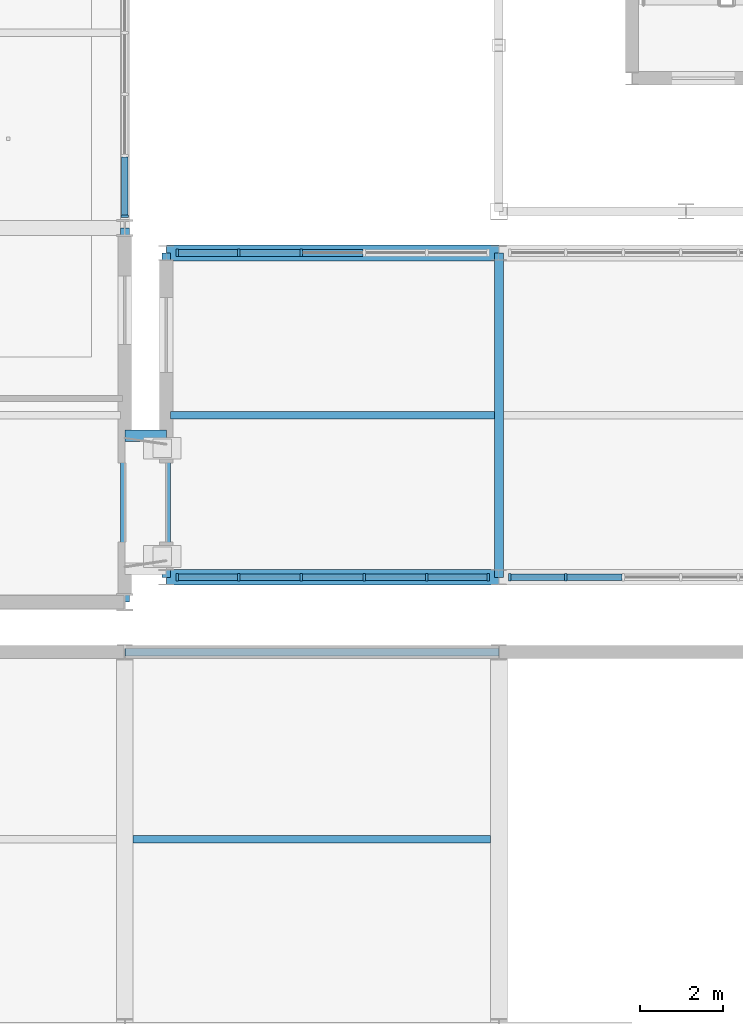
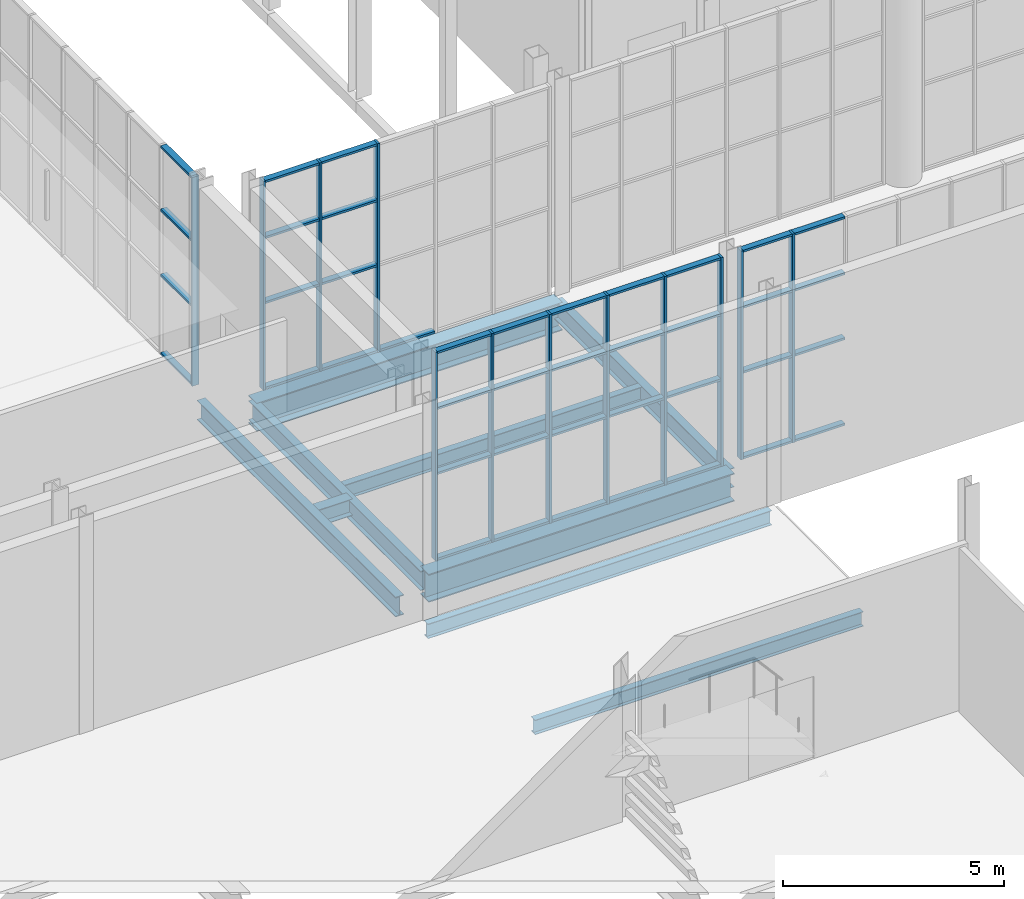
# One storey, part 33 of 159: 53 members, 9 beams, 4 elements without a shape of their own.
"""IFC4 building model written with IfcOpenShell, lengths in metres."""

from ifc_helpers import new_model, si_unit, direction, frame, origin, origin_2d, place, context, subcontext, project, spatial, rectangle, i_section, extrude, material, layer, layer_set, material_profile, profile_set, type_object, element, aggregate, save


model = new_model("IFC4")

# Units and contexts
model_context = context("Model", 3, precision=1e-05, world=origin(), true_north=direction((0.0, 1.0)))
body_context = subcontext(model_context, "Body", "Model", "MODEL_VIEW")
ifc_project = project(units=[si_unit("LENGTHUNIT", "METRE"), si_unit("AREAUNIT", "SQUARE_METRE"), si_unit("VOLUMEUNIT", "CUBIC_METRE"), si_unit("PLANEANGLEUNIT", "RADIAN"), si_unit("MASSUNIT", "GRAM", prefix="KILO")], contexts=[model_context])

# Site, building, storey
site_placement = place(None, origin())
site = spatial("IfcSite", under=ifc_project, at=site_placement, CompositionType="ELEMENT")
building_placement = place(site_placement, origin())
building = spatial("IfcBuilding", under=site, at=building_placement, Name="Cazmaro Siding Exhibition Halls", CompositionType="ELEMENT")
storey_placement = place(building_placement, frame((0.0, 0.0, 6.0)))
storey = spatial("IfcBuildingStorey", under=building, at=storey_placement, Name="L01", CompositionType="ELEMENT", Elevation=6.0)

# Beams
ifc_material_1 = material(Name="Steel ASTM A992 Grade 50", Category="steel")
ifc_material_profile_1 = material_profile(ifc_material_1, i_section(OverallWidth=0.214111328125, OverallDepth=0.549072265625, WebThickness=0.014892578125, FlangeThickness=0.02392578125, at=origin_2d()), Name="W21X93")
ifc_profile_set_1 = profile_set([ifc_material_profile_1], Name="Steel ASTM A992 Grade 50")
beam_type_1 = type_object("IfcBeamType", Name="B-01", PredefinedType="BEAM", material=ifc_profile_set_1)
beam_1_placement = place(storey_placement, frame((36.0, 54.60009765625, -0.493896484375), z_axis=(0.0, 1.0, 0.0), x_axis=(-1.0, 0.0, 0.0)))
element("IfcBeam", 1, at=beam_1_placement, inside=storey, type_object=beam_type_1, Name="Beam B-01 BM-2026", PredefinedType="BEAM", context=body_context, shape_type="SweptSolid", body=[
    extrude(i_section(OverallWidth=0.214111328125, OverallDepth=0.549072265625, WebThickness=0.014892578125, FlangeThickness=0.02392578125, at=origin_2d()), origin(), (0.0, 0.0, 1.0), 9.0),
])
ifc_material_2 = material(Name="Steel ASTM A992 Grade 50", Category="steel")
ifc_material_profile_2 = material_profile(ifc_material_2, i_section(OverallWidth=0.2099609375, OverallDepth=0.535888671875, WebThickness=0.010986328125, FlangeThickness=0.01708984375, at=origin_2d()), Name="W21X68")
ifc_profile_set_2 = profile_set([ifc_material_profile_2], Name="Steel ASTM A992 Grade 50")
beam_type_2 = type_object("IfcBeamType", Name="B-02", PredefinedType="BEAM", material=ifc_profile_set_2)
for number, where, z_axis, x_axis, name in (
    (2, (37.0, 55.199951171875, -0.488037109375), (0.0, 1.0, 0.0), (-1.0, 0.0, 0.0), "Beam B-02 BM-1684"),
    (3, (45.0, 55.199951171875, -0.488037109375), (0.0, 1.0, 0.0), (-1.0, 0.0, 0.0), "Beam B-02 BM-1687"),
):
    element("IfcBeam", number, at=place(storey_placement, frame(where, z_axis=z_axis, x_axis=x_axis)), inside=storey, type_object=beam_type_2, Name=name, PredefinedType="BEAM", context=body_context, shape_type="SweptSolid", body=[
        extrude(i_section(OverallWidth=0.2099609375, OverallDepth=0.535888671875, WebThickness=0.010986328125, FlangeThickness=0.01708984375, at=origin_2d()), origin(), (0.0, 0.0, 1.0), 7.800048828125),
    ])
ifc_material_3 = material(Name="Steel ASTM A992 Grade 50", Category="steel")
ifc_material_profile_3 = material_profile(ifc_material_3, i_section(OverallWidth=0.279052734375, OverallDepth=0.4619140625, WebThickness=0.010986328125, FlangeThickness=0.01708984375, at=origin_2d()), Name="W18X76")
ifc_profile_set_3 = profile_set([ifc_material_profile_3], Name="Steel ASTM A992 Grade 50")
beam_type_3 = type_object("IfcBeamType", Name="B-03", PredefinedType="BEAM", material=ifc_profile_set_3)
beam_2_placement = place(storey_placement, frame((36.0, 58.60009765625, -0.450927734375), z_axis=(1.0, 0.0, 0.0), x_axis=(0.0, 1.0, 0.0)))
element("IfcBeam", 4, at=beam_2_placement, inside=storey, type_object=beam_type_3, Name="Beam B-03 BM-2531", PredefinedType="BEAM", context=body_context, shape_type="SweptSolid", body=[
    extrude(i_section(OverallWidth=0.279052734375, OverallDepth=0.4619140625, WebThickness=0.010986328125, FlangeThickness=0.01708984375, at=origin_2d()), origin(), (0.0, 0.0, 1.0), 1.0),
])

# Curtain wall, members
ifc_material_4 = material(Name="Anodized Bronze Aluminum and Solar-Control Low-E Glazing", Category="aluminium")
ifc_layer = layer(ifc_material_4, 0.179931640625)
ifc_layer_set = layer_set([ifc_layer], Name="Anodized Bronze Aluminum and Solar-Control Low-E Glazing")
curtain_wall_type = type_object("IfcCurtainWallType", Name="CWS-01", PredefinedType="USERDEFINED", material=ifc_layer_set)
curtain_wall_1_placement = place(storey_placement, origin())
curtain_wall_1 = element("IfcCurtainWall", 5, at=curtain_wall_1_placement, inside=storey, type_object=curtain_wall_type, Name="Glazed Curtain Wall CWS-01 CW-141", ObjectType="GLAZED CURTAIN WALL", PredefinedType="USERDEFINED")
ifc_material_5 = material(Name="Anodized Bronze Extruded Aluminum", Category="aluminium")
ifc_material_profile_4 = material_profile(ifc_material_5, rectangle(XDim=0.179931640625, YDim=0.06005859375, at=origin_2d()), Name="CWM-01")
ifc_profile_set_4 = profile_set([ifc_material_profile_4], Name="Anodized Bronze Extruded Aluminum")
member_type_1 = type_object("IfcMemberType", Name="CWM-01", PredefinedType="MULLION", material=ifc_profile_set_4)
member_1_placement = place(storey_placement, frame((37.260009765625, 55.199951171875, 0.0), z_axis=(0.0, 0.0, 1.0), x_axis=(0.0, 1.0, 0.0)))
member_1 = element("IfcMember", 6, at=member_1_placement, type_object=member_type_1, Name="CWS-01 mullion 1", PredefinedType="MULLION", context=body_context, shape_type="SweptSolid", body=[
    extrude(rectangle(XDim=0.179931640625, YDim=0.06005859375, at=origin_2d()), origin(), (0.0, 0.0, 1.0), 5.780029296875),
])
member_2_placement = place(storey_placement, frame((38.738037109375, 55.199951171875, 0.0), z_axis=(0.0, 0.0, 1.0), x_axis=(0.0, 1.0, 0.0)))
member_2 = element("IfcMember", 7, at=member_2_placement, type_object=member_type_1, Name="CWS-01 mullion 2", PredefinedType="MULLION", context=body_context, shape_type="SweptSolid", body=[
    extrude(rectangle(XDim=0.179931640625, YDim=0.06005859375, at=origin_2d()), origin(), (0.0, 0.0, 1.0), 5.780029296875),
])
member_3_placement = place(storey_placement, frame((40.24609375, 55.199951171875, 0.0), z_axis=(0.0, 0.0, 1.0), x_axis=(0.0, 1.0, 0.0)))
member_3 = element("IfcMember", 8, at=member_3_placement, type_object=member_type_1, Name="CWS-01 mullion 3", PredefinedType="MULLION", context=body_context, shape_type="SweptSolid", body=[
    extrude(rectangle(XDim=0.179931640625, YDim=0.06005859375, at=origin_2d()), origin(), (0.0, 0.0, 1.0), 5.780029296875),
])
member_4_placement = place(storey_placement, frame((41.75390625, 55.199951171875, 0.0), z_axis=(0.0, 0.0, 1.0), x_axis=(0.0, 1.0, 0.0)))
member_4 = element("IfcMember", 9, at=member_4_placement, type_object=member_type_1, Name="CWS-01 mullion 4", PredefinedType="MULLION", context=body_context, shape_type="SweptSolid", body=[
    extrude(rectangle(XDim=0.179931640625, YDim=0.06005859375, at=origin_2d()), origin(), (0.0, 0.0, 1.0), 5.780029296875),
])
member_5_placement = place(storey_placement, frame((43.261962890625, 55.199951171875, 0.0), z_axis=(0.0, 0.0, 1.0), x_axis=(0.0, 1.0, 0.0)))
member_5 = element("IfcMember", 10, at=member_5_placement, type_object=member_type_1, Name="CWS-01 mullion 5", PredefinedType="MULLION", context=body_context, shape_type="SweptSolid", body=[
    extrude(rectangle(XDim=0.179931640625, YDim=0.06005859375, at=origin_2d()), origin(), (0.0, 0.0, 1.0), 5.780029296875),
])
member_6_placement = place(storey_placement, frame((44.739990234375, 55.199951171875, 0.0), z_axis=(0.0, 0.0, 1.0), x_axis=(0.0, 1.0, 0.0)))
member_6 = element("IfcMember", 11, at=member_6_placement, type_object=member_type_1, Name="CWS-01 mullion 6", PredefinedType="MULLION", context=body_context, shape_type="SweptSolid", body=[
    extrude(rectangle(XDim=0.179931640625, YDim=0.06005859375, at=origin_2d()), origin(), (0.0, 0.0, 1.0), 5.780029296875),
])

curtain_wall_2_placement = place(storey_placement, origin())
curtain_wall_2 = element("IfcCurtainWall", 12, at=curtain_wall_2_placement, inside=storey, type_object=curtain_wall_type, Name="Glazed Curtain Wall CWS-01 CW-143", ObjectType="GLAZED CURTAIN WALL", PredefinedType="USERDEFINED")
member_7_placement = place(storey_placement, frame((40.24609375, 63.0, 0.0), z_axis=(0.0, 0.0, 1.0), x_axis=(0.0, -1.0, 0.0)))
member_7 = element("IfcMember", 13, at=member_7_placement, type_object=member_type_1, Name="CWS-01 mullion 4", PredefinedType="MULLION", context=body_context, shape_type="SweptSolid", body=[
    extrude(rectangle(XDim=0.179931640625, YDim=0.06005859375, at=origin_2d()), origin(), (0.0, 0.0, 1.0), 5.780029296875),
])
member_8_placement = place(storey_placement, frame((38.738037109375, 63.0, 0.0), z_axis=(0.0, 0.0, 1.0), x_axis=(0.0, -1.0, 0.0)))
member_8 = element("IfcMember", 14, at=member_8_placement, type_object=member_type_1, Name="CWS-01 mullion 5", PredefinedType="MULLION", context=body_context, shape_type="SweptSolid", body=[
    extrude(rectangle(XDim=0.179931640625, YDim=0.06005859375, at=origin_2d()), origin(), (0.0, 0.0, 1.0), 5.780029296875),
])
member_9_placement = place(storey_placement, frame((37.260009765625, 63.0, 0.0), z_axis=(0.0, 0.0, 1.0), x_axis=(0.0, -1.0, 0.0)))
member_9 = element("IfcMember", 15, at=member_9_placement, type_object=member_type_1, Name="CWS-01 mullion 6", PredefinedType="MULLION", context=body_context, shape_type="SweptSolid", body=[
    extrude(rectangle(XDim=0.179931640625, YDim=0.06005859375, at=origin_2d()), origin(), (0.0, 0.0, 1.0), 5.780029296875),
])

curtain_wall_3_placement = place(storey_placement, origin())
curtain_wall_3 = element("IfcCurtainWall", 16, at=curtain_wall_3_placement, inside=storey, type_object=curtain_wall_type, Name="Glazed Curtain Wall CWS-01 CW-146", ObjectType="GLAZED CURTAIN WALL", PredefinedType="USERDEFINED")
member_10_placement = place(storey_placement, frame((45.260009765625, 55.199951171875, 0.0), z_axis=(0.0, 0.0, 1.0), x_axis=(0.0, 1.0, 0.0)))
member_10 = element("IfcMember", 17, at=member_10_placement, type_object=member_type_1, Name="CWS-01 mullion 1", PredefinedType="MULLION", context=body_context, shape_type="SweptSolid", body=[
    extrude(rectangle(XDim=0.179931640625, YDim=0.06005859375, at=origin_2d()), origin(), (0.0, 0.0, 1.0), 5.780029296875),
])
member_11_placement = place(storey_placement, frame((46.611083984375, 55.199951171875, 0.0), z_axis=(0.0, 0.0, 1.0), x_axis=(0.0, 1.0, 0.0)))
member_11 = element("IfcMember", 18, at=member_11_placement, type_object=member_type_1, Name="CWS-01 mullion 2", PredefinedType="MULLION", context=body_context, shape_type="SweptSolid", body=[
    extrude(rectangle(XDim=0.179931640625, YDim=0.06005859375, at=origin_2d()), origin(), (0.0, 0.0, 1.0), 5.780029296875),
])

# Curtain wall, member
curtain_wall_4_placement = place(storey_placement, origin())
curtain_wall_4 = element("IfcCurtainWall", 19, at=curtain_wall_4_placement, inside=storey, type_object=curtain_wall_type, Name="Glazed Curtain Wall CWS-01 CW-231", ObjectType="GLAZED CURTAIN WALL", PredefinedType="USERDEFINED")
member_12_placement = place(storey_placement, frame((36.0, 63.883056640625, 0.0), z_axis=(0.0, 0.0, 1.0), x_axis=(-1.0, 0.0, 0.0)))
member_12 = element("IfcMember", 20, at=member_12_placement, type_object=member_type_1, Name="CWS-01 mullion 1", PredefinedType="MULLION", context=body_context, shape_type="SweptSolid", body=[
    extrude(rectangle(XDim=0.179931640625, YDim=0.06005859375, at=origin_2d()), origin(), (0.0, 0.0, 1.0), 5.780029296875),
])

# Member
ifc_material_6 = material(Name="Anodized Bronze Extruded Aluminum", Category="aluminium")
ifc_material_profile_5 = material_profile(ifc_material_6, rectangle(XDim=0.159912109375, YDim=0.06005859375, at=origin_2d()), Name="CWT-01")
ifc_profile_set_5 = profile_set([ifc_material_profile_5], Name="Anodized Bronze Extruded Aluminum")
member_type_2 = type_object("IfcMemberType", Name="CWT-01", PredefinedType="MULLION", material=ifc_profile_set_5)
member_13_placement = place(storey_placement, frame((37.2900390625, 55.199951171875, 0.030029296875), z_axis=(1.0, 0.0, 0.0), x_axis=(0.0, 1.0, 0.0)))
member_13 = element("IfcMember", 21, at=member_13_placement, type_object=member_type_2, Name="CWS-01 transom 1.1", ObjectType="TRANSOM", PredefinedType="USERDEFINED", context=body_context, shape_type="SweptSolid", body=[
    extrude(rectangle(XDim=0.159912109375, YDim=0.06005859375, at=origin_2d()), origin(), (0.0, 0.0, 1.0), 1.41796875),
])

member_14_placement = place(storey_placement, frame((37.2900390625, 55.199951171875, 2.39990234375), z_axis=(1.0, 0.0, 0.0), x_axis=(0.0, 1.0, 0.0)))
member_14 = element("IfcMember", 22, at=member_14_placement, type_object=member_type_2, Name="CWS-01 transom 1.2", ObjectType="TRANSOM", PredefinedType="USERDEFINED", context=body_context, shape_type="SweptSolid", body=[
    extrude(rectangle(XDim=0.159912109375, YDim=0.06005859375, at=origin_2d()), origin(), (0.0, 0.0, 1.0), 1.41796875),
])

member_15_placement = place(storey_placement, frame((37.2900390625, 55.199951171875, 4.199951171875), z_axis=(1.0, 0.0, 0.0), x_axis=(0.0, 1.0, 0.0)))
member_15 = element("IfcMember", 23, at=member_15_placement, type_object=member_type_2, Name="CWS-01 transom 1.3", ObjectType="TRANSOM", PredefinedType="USERDEFINED", context=body_context, shape_type="SweptSolid", body=[
    extrude(rectangle(XDim=0.159912109375, YDim=0.06005859375, at=origin_2d()), origin(), (0.0, 0.0, 1.0), 1.41796875),
])

member_16_placement = place(storey_placement, frame((37.2900390625, 55.199951171875, 5.75), z_axis=(1.0, 0.0, 0.0), x_axis=(0.0, 1.0, 0.0)))
member_16 = element("IfcMember", 24, at=member_16_placement, type_object=member_type_2, Name="CWS-01 transom 1.4", ObjectType="TRANSOM", PredefinedType="USERDEFINED", context=body_context, shape_type="SweptSolid", body=[
    extrude(rectangle(XDim=0.159912109375, YDim=0.06005859375, at=origin_2d()), origin(), (0.0, 0.0, 1.0), 1.41796875),
])

member_17_placement = place(storey_placement, frame((38.76806640625, 55.199951171875, 0.030029296875), z_axis=(1.0, 0.0, 0.0), x_axis=(0.0, 1.0, 0.0)))
member_17 = element("IfcMember", 25, at=member_17_placement, type_object=member_type_2, Name="CWS-01 transom 2.1", ObjectType="TRANSOM", PredefinedType="USERDEFINED", context=body_context, shape_type="SweptSolid", body=[
    extrude(rectangle(XDim=0.159912109375, YDim=0.06005859375, at=origin_2d()), origin(), (0.0, 0.0, 1.0), 1.447998046875),
])

member_18_placement = place(storey_placement, frame((38.76806640625, 55.199951171875, 2.39990234375), z_axis=(1.0, 0.0, 0.0), x_axis=(0.0, 1.0, 0.0)))
member_18 = element("IfcMember", 26, at=member_18_placement, type_object=member_type_2, Name="CWS-01 transom 2.2", ObjectType="TRANSOM", PredefinedType="USERDEFINED", context=body_context, shape_type="SweptSolid", body=[
    extrude(rectangle(XDim=0.159912109375, YDim=0.06005859375, at=origin_2d()), origin(), (0.0, 0.0, 1.0), 1.447998046875),
])

member_19_placement = place(storey_placement, frame((38.76806640625, 55.199951171875, 4.199951171875), z_axis=(1.0, 0.0, 0.0), x_axis=(0.0, 1.0, 0.0)))
member_19 = element("IfcMember", 27, at=member_19_placement, type_object=member_type_2, Name="CWS-01 transom 2.3", ObjectType="TRANSOM", PredefinedType="USERDEFINED", context=body_context, shape_type="SweptSolid", body=[
    extrude(rectangle(XDim=0.159912109375, YDim=0.06005859375, at=origin_2d()), origin(), (0.0, 0.0, 1.0), 1.447998046875),
])

member_20_placement = place(storey_placement, frame((38.76806640625, 55.199951171875, 5.75), z_axis=(1.0, 0.0, 0.0), x_axis=(0.0, 1.0, 0.0)))
member_20 = element("IfcMember", 28, at=member_20_placement, type_object=member_type_2, Name="CWS-01 transom 2.4", ObjectType="TRANSOM", PredefinedType="USERDEFINED", context=body_context, shape_type="SweptSolid", body=[
    extrude(rectangle(XDim=0.159912109375, YDim=0.06005859375, at=origin_2d()), origin(), (0.0, 0.0, 1.0), 1.447998046875),
])

member_21_placement = place(storey_placement, frame((40.27587890625, 55.199951171875, 0.030029296875), z_axis=(1.0, 0.0, 0.0), x_axis=(0.0, 1.0, 0.0)))
member_21 = element("IfcMember", 29, at=member_21_placement, type_object=member_type_2, Name="CWS-01 transom 3.1", ObjectType="TRANSOM", PredefinedType="USERDEFINED", context=body_context, shape_type="SweptSolid", body=[
    extrude(rectangle(XDim=0.159912109375, YDim=0.06005859375, at=origin_2d()), origin(), (0.0, 0.0, 1.0), 1.4482421875),
])

member_22_placement = place(storey_placement, frame((40.27587890625, 55.199951171875, 2.39990234375), z_axis=(1.0, 0.0, 0.0), x_axis=(0.0, 1.0, 0.0)))
member_22 = element("IfcMember", 30, at=member_22_placement, type_object=member_type_2, Name="CWS-01 transom 3.2", ObjectType="TRANSOM", PredefinedType="USERDEFINED", context=body_context, shape_type="SweptSolid", body=[
    extrude(rectangle(XDim=0.159912109375, YDim=0.06005859375, at=origin_2d()), origin(), (0.0, 0.0, 1.0), 1.4482421875),
])

member_23_placement = place(storey_placement, frame((40.27587890625, 55.199951171875, 4.199951171875), z_axis=(1.0, 0.0, 0.0), x_axis=(0.0, 1.0, 0.0)))
member_23 = element("IfcMember", 31, at=member_23_placement, type_object=member_type_2, Name="CWS-01 transom 3.3", ObjectType="TRANSOM", PredefinedType="USERDEFINED", context=body_context, shape_type="SweptSolid", body=[
    extrude(rectangle(XDim=0.159912109375, YDim=0.06005859375, at=origin_2d()), origin(), (0.0, 0.0, 1.0), 1.4482421875),
])

member_24_placement = place(storey_placement, frame((40.27587890625, 55.199951171875, 5.75), z_axis=(1.0, 0.0, 0.0), x_axis=(0.0, 1.0, 0.0)))
member_24 = element("IfcMember", 32, at=member_24_placement, type_object=member_type_2, Name="CWS-01 transom 3.4", ObjectType="TRANSOM", PredefinedType="USERDEFINED", context=body_context, shape_type="SweptSolid", body=[
    extrude(rectangle(XDim=0.159912109375, YDim=0.06005859375, at=origin_2d()), origin(), (0.0, 0.0, 1.0), 1.4482421875),
])

member_25_placement = place(storey_placement, frame((41.783935546875, 55.199951171875, 0.030029296875), z_axis=(1.0, 0.0, 0.0), x_axis=(0.0, 1.0, 0.0)))
member_25 = element("IfcMember", 33, at=member_25_placement, type_object=member_type_2, Name="CWS-01 transom 4.1", ObjectType="TRANSOM", PredefinedType="USERDEFINED", context=body_context, shape_type="SweptSolid", body=[
    extrude(rectangle(XDim=0.159912109375, YDim=0.06005859375, at=origin_2d()), origin(), (0.0, 0.0, 1.0), 1.447998046875),
])

member_26_placement = place(storey_placement, frame((41.783935546875, 55.199951171875, 2.39990234375), z_axis=(1.0, 0.0, 0.0), x_axis=(0.0, 1.0, 0.0)))
member_26 = element("IfcMember", 34, at=member_26_placement, type_object=member_type_2, Name="CWS-01 transom 4.2", ObjectType="TRANSOM", PredefinedType="USERDEFINED", context=body_context, shape_type="SweptSolid", body=[
    extrude(rectangle(XDim=0.159912109375, YDim=0.06005859375, at=origin_2d()), origin(), (0.0, 0.0, 1.0), 1.447998046875),
])

member_27_placement = place(storey_placement, frame((41.783935546875, 55.199951171875, 4.199951171875), z_axis=(1.0, 0.0, 0.0), x_axis=(0.0, 1.0, 0.0)))
member_27 = element("IfcMember", 35, at=member_27_placement, type_object=member_type_2, Name="CWS-01 transom 4.3", ObjectType="TRANSOM", PredefinedType="USERDEFINED", context=body_context, shape_type="SweptSolid", body=[
    extrude(rectangle(XDim=0.159912109375, YDim=0.06005859375, at=origin_2d()), origin(), (0.0, 0.0, 1.0), 1.447998046875),
])

member_28_placement = place(storey_placement, frame((41.783935546875, 55.199951171875, 5.75), z_axis=(1.0, 0.0, 0.0), x_axis=(0.0, 1.0, 0.0)))
member_28 = element("IfcMember", 36, at=member_28_placement, type_object=member_type_2, Name="CWS-01 transom 4.4", ObjectType="TRANSOM", PredefinedType="USERDEFINED", context=body_context, shape_type="SweptSolid", body=[
    extrude(rectangle(XDim=0.159912109375, YDim=0.06005859375, at=origin_2d()), origin(), (0.0, 0.0, 1.0), 1.447998046875),
])

member_29_placement = place(storey_placement, frame((43.2919921875, 55.199951171875, 0.030029296875), z_axis=(1.0, 0.0, 0.0), x_axis=(0.0, 1.0, 0.0)))
member_29 = element("IfcMember", 37, at=member_29_placement, type_object=member_type_2, Name="CWS-01 transom 5.1", ObjectType="TRANSOM", PredefinedType="USERDEFINED", context=body_context, shape_type="SweptSolid", body=[
    extrude(rectangle(XDim=0.159912109375, YDim=0.06005859375, at=origin_2d()), origin(), (0.0, 0.0, 1.0), 1.41796875),
])

member_30_placement = place(storey_placement, frame((43.2919921875, 55.199951171875, 2.39990234375), z_axis=(1.0, 0.0, 0.0), x_axis=(0.0, 1.0, 0.0)))
member_30 = element("IfcMember", 38, at=member_30_placement, type_object=member_type_2, Name="CWS-01 transom 5.2", ObjectType="TRANSOM", PredefinedType="USERDEFINED", context=body_context, shape_type="SweptSolid", body=[
    extrude(rectangle(XDim=0.159912109375, YDim=0.06005859375, at=origin_2d()), origin(), (0.0, 0.0, 1.0), 1.41796875),
])

member_31_placement = place(storey_placement, frame((43.2919921875, 55.199951171875, 4.199951171875), z_axis=(1.0, 0.0, 0.0), x_axis=(0.0, 1.0, 0.0)))
member_31 = element("IfcMember", 39, at=member_31_placement, type_object=member_type_2, Name="CWS-01 transom 5.3", ObjectType="TRANSOM", PredefinedType="USERDEFINED", context=body_context, shape_type="SweptSolid", body=[
    extrude(rectangle(XDim=0.159912109375, YDim=0.06005859375, at=origin_2d()), origin(), (0.0, 0.0, 1.0), 1.41796875),
])

member_32_placement = place(storey_placement, frame((43.2919921875, 55.199951171875, 5.75), z_axis=(1.0, 0.0, 0.0), x_axis=(0.0, 1.0, 0.0)))
member_32 = element("IfcMember", 40, at=member_32_placement, type_object=member_type_2, Name="CWS-01 transom 5.4", ObjectType="TRANSOM", PredefinedType="USERDEFINED", context=body_context, shape_type="SweptSolid", body=[
    extrude(rectangle(XDim=0.159912109375, YDim=0.06005859375, at=origin_2d()), origin(), (0.0, 0.0, 1.0), 1.41796875),
])

aggregate(curtain_wall_1, [member_1, member_2, member_3, member_4, member_5, member_6, member_13, member_14, member_15, member_16, member_17, member_18, member_19, member_20, member_21, member_22, member_23, member_24, member_25, member_26, member_27, member_28, member_29, member_30, member_31, member_32])

member_33_placement = place(storey_placement, frame((41.72412109375, 63.0, 0.030029296875), z_axis=(-1.0, 0.0, 0.0), x_axis=(0.0, -1.0, 0.0)))
member_33 = element("IfcMember", 41, at=member_33_placement, type_object=member_type_2, Name="CWS-01 transom 3.1", ObjectType="TRANSOM", PredefinedType="USERDEFINED", context=body_context, shape_type="SweptSolid", body=[
    extrude(rectangle(XDim=0.159912109375, YDim=0.06005859375, at=origin_2d()), origin(), (0.0, 0.0, 1.0), 1.4482421875),
])

member_34_placement = place(storey_placement, frame((40.216064453125, 63.0, 0.030029296875), z_axis=(-1.0, 0.0, 0.0), x_axis=(0.0, -1.0, 0.0)))
member_34 = element("IfcMember", 42, at=member_34_placement, type_object=member_type_2, Name="CWS-01 transom 4.1", ObjectType="TRANSOM", PredefinedType="USERDEFINED", context=body_context, shape_type="SweptSolid", body=[
    extrude(rectangle(XDim=0.159912109375, YDim=0.06005859375, at=origin_2d()), origin(), (0.0, 0.0, 1.0), 1.447998046875),
])

member_35_placement = place(storey_placement, frame((40.216064453125, 63.0, 2.39990234375), z_axis=(-1.0, 0.0, 0.0), x_axis=(0.0, -1.0, 0.0)))
member_35 = element("IfcMember", 43, at=member_35_placement, type_object=member_type_2, Name="CWS-01 transom 4.2", ObjectType="TRANSOM", PredefinedType="USERDEFINED", context=body_context, shape_type="SweptSolid", body=[
    extrude(rectangle(XDim=0.159912109375, YDim=0.06005859375, at=origin_2d()), origin(), (0.0, 0.0, 1.0), 1.447998046875),
])

member_36_placement = place(storey_placement, frame((40.216064453125, 63.0, 4.199951171875), z_axis=(-1.0, 0.0, 0.0), x_axis=(0.0, -1.0, 0.0)))
member_36 = element("IfcMember", 44, at=member_36_placement, type_object=member_type_2, Name="CWS-01 transom 4.3", ObjectType="TRANSOM", PredefinedType="USERDEFINED", context=body_context, shape_type="SweptSolid", body=[
    extrude(rectangle(XDim=0.159912109375, YDim=0.06005859375, at=origin_2d()), origin(), (0.0, 0.0, 1.0), 1.447998046875),
])

member_37_placement = place(storey_placement, frame((40.216064453125, 63.0, 5.75), z_axis=(-1.0, 0.0, 0.0), x_axis=(0.0, -1.0, 0.0)))
member_37 = element("IfcMember", 45, at=member_37_placement, type_object=member_type_2, Name="CWS-01 transom 4.4", ObjectType="TRANSOM", PredefinedType="USERDEFINED", context=body_context, shape_type="SweptSolid", body=[
    extrude(rectangle(XDim=0.159912109375, YDim=0.06005859375, at=origin_2d()), origin(), (0.0, 0.0, 1.0), 1.447998046875),
])

member_38_placement = place(storey_placement, frame((38.7080078125, 63.0, 0.030029296875), z_axis=(-1.0, 0.0, 0.0), x_axis=(0.0, -1.0, 0.0)))
member_38 = element("IfcMember", 46, at=member_38_placement, type_object=member_type_2, Name="CWS-01 transom 5.1", ObjectType="TRANSOM", PredefinedType="USERDEFINED", context=body_context, shape_type="SweptSolid", body=[
    extrude(rectangle(XDim=0.159912109375, YDim=0.06005859375, at=origin_2d()), origin(), (0.0, 0.0, 1.0), 1.41796875),
])

member_39_placement = place(storey_placement, frame((38.7080078125, 63.0, 2.39990234375), z_axis=(-1.0, 0.0, 0.0), x_axis=(0.0, -1.0, 0.0)))
member_39 = element("IfcMember", 47, at=member_39_placement, type_object=member_type_2, Name="CWS-01 transom 5.2", ObjectType="TRANSOM", PredefinedType="USERDEFINED", context=body_context, shape_type="SweptSolid", body=[
    extrude(rectangle(XDim=0.159912109375, YDim=0.06005859375, at=origin_2d()), origin(), (0.0, 0.0, 1.0), 1.41796875),
])

member_40_placement = place(storey_placement, frame((38.7080078125, 63.0, 4.199951171875), z_axis=(-1.0, 0.0, 0.0), x_axis=(0.0, -1.0, 0.0)))
member_40 = element("IfcMember", 48, at=member_40_placement, type_object=member_type_2, Name="CWS-01 transom 5.3", ObjectType="TRANSOM", PredefinedType="USERDEFINED", context=body_context, shape_type="SweptSolid", body=[
    extrude(rectangle(XDim=0.159912109375, YDim=0.06005859375, at=origin_2d()), origin(), (0.0, 0.0, 1.0), 1.41796875),
])

member_41_placement = place(storey_placement, frame((38.7080078125, 63.0, 5.75), z_axis=(-1.0, 0.0, 0.0), x_axis=(0.0, -1.0, 0.0)))
member_41 = element("IfcMember", 49, at=member_41_placement, type_object=member_type_2, Name="CWS-01 transom 5.4", ObjectType="TRANSOM", PredefinedType="USERDEFINED", context=body_context, shape_type="SweptSolid", body=[
    extrude(rectangle(XDim=0.159912109375, YDim=0.06005859375, at=origin_2d()), origin(), (0.0, 0.0, 1.0), 1.41796875),
])

aggregate(curtain_wall_2, [member_7, member_8, member_9, member_33, member_34, member_35, member_36, member_37, member_38, member_39, member_40, member_41])

member_42_placement = place(storey_placement, frame((45.2900390625, 55.199951171875, 0.030029296875), z_axis=(1.0, 0.0, 0.0), x_axis=(0.0, 1.0, 0.0)))
member_42 = element("IfcMember", 50, at=member_42_placement, type_object=member_type_2, Name="CWS-01 transom 1.1", ObjectType="TRANSOM", PredefinedType="USERDEFINED", context=body_context, shape_type="SweptSolid", body=[
    extrude(rectangle(XDim=0.159912109375, YDim=0.06005859375, at=origin_2d()), origin(), (0.0, 0.0, 1.0), 1.291015625),
])

member_43_placement = place(storey_placement, frame((45.2900390625, 55.199951171875, 2.39990234375), z_axis=(1.0, 0.0, 0.0), x_axis=(0.0, 1.0, 0.0)))
member_43 = element("IfcMember", 51, at=member_43_placement, type_object=member_type_2, Name="CWS-01 transom 1.2", ObjectType="TRANSOM", PredefinedType="USERDEFINED", context=body_context, shape_type="SweptSolid", body=[
    extrude(rectangle(XDim=0.159912109375, YDim=0.06005859375, at=origin_2d()), origin(), (0.0, 0.0, 1.0), 1.291015625),
])

member_44_placement = place(storey_placement, frame((45.2900390625, 55.199951171875, 4.199951171875), z_axis=(1.0, 0.0, 0.0), x_axis=(0.0, 1.0, 0.0)))
member_44 = element("IfcMember", 52, at=member_44_placement, type_object=member_type_2, Name="CWS-01 transom 1.3", ObjectType="TRANSOM", PredefinedType="USERDEFINED", context=body_context, shape_type="SweptSolid", body=[
    extrude(rectangle(XDim=0.159912109375, YDim=0.06005859375, at=origin_2d()), origin(), (0.0, 0.0, 1.0), 1.291015625),
])

member_45_placement = place(storey_placement, frame((45.2900390625, 55.199951171875, 5.75), z_axis=(1.0, 0.0, 0.0), x_axis=(0.0, 1.0, 0.0)))
member_45 = element("IfcMember", 53, at=member_45_placement, type_object=member_type_2, Name="CWS-01 transom 1.4", ObjectType="TRANSOM", PredefinedType="USERDEFINED", context=body_context, shape_type="SweptSolid", body=[
    extrude(rectangle(XDim=0.159912109375, YDim=0.06005859375, at=origin_2d()), origin(), (0.0, 0.0, 1.0), 1.291015625),
])

member_46_placement = place(storey_placement, frame((46.64111328125, 55.199951171875, 0.030029296875), z_axis=(1.0, 0.0, 0.0), x_axis=(0.0, 1.0, 0.0)))
member_46 = element("IfcMember", 54, at=member_46_placement, type_object=member_type_2, Name="CWS-01 transom 2.1", ObjectType="TRANSOM", PredefinedType="USERDEFINED", context=body_context, shape_type="SweptSolid", body=[
    extrude(rectangle(XDim=0.159912109375, YDim=0.06005859375, at=origin_2d()), origin(), (0.0, 0.0, 1.0), 1.3212890625),
])

member_47_placement = place(storey_placement, frame((46.64111328125, 55.199951171875, 2.39990234375), z_axis=(1.0, 0.0, 0.0), x_axis=(0.0, 1.0, 0.0)))
member_47 = element("IfcMember", 55, at=member_47_placement, type_object=member_type_2, Name="CWS-01 transom 2.2", ObjectType="TRANSOM", PredefinedType="USERDEFINED", context=body_context, shape_type="SweptSolid", body=[
    extrude(rectangle(XDim=0.159912109375, YDim=0.06005859375, at=origin_2d()), origin(), (0.0, 0.0, 1.0), 1.3212890625),
])

member_48_placement = place(storey_placement, frame((46.64111328125, 55.199951171875, 4.199951171875), z_axis=(1.0, 0.0, 0.0), x_axis=(0.0, 1.0, 0.0)))
member_48 = element("IfcMember", 56, at=member_48_placement, type_object=member_type_2, Name="CWS-01 transom 2.3", ObjectType="TRANSOM", PredefinedType="USERDEFINED", context=body_context, shape_type="SweptSolid", body=[
    extrude(rectangle(XDim=0.159912109375, YDim=0.06005859375, at=origin_2d()), origin(), (0.0, 0.0, 1.0), 1.3212890625),
])

member_49_placement = place(storey_placement, frame((46.64111328125, 55.199951171875, 5.75), z_axis=(1.0, 0.0, 0.0), x_axis=(0.0, 1.0, 0.0)))
member_49 = element("IfcMember", 57, at=member_49_placement, type_object=member_type_2, Name="CWS-01 transom 2.4", ObjectType="TRANSOM", PredefinedType="USERDEFINED", context=body_context, shape_type="SweptSolid", body=[
    extrude(rectangle(XDim=0.159912109375, YDim=0.06005859375, at=origin_2d()), origin(), (0.0, 0.0, 1.0), 1.3212890625),
])

aggregate(curtain_wall_3, [member_10, member_11, member_42, member_43, member_44, member_45, member_46, member_47, member_48, member_49])

member_50_placement = place(storey_placement, frame((36.0, 63.9130859375, 0.030029296875), z_axis=(0.0, 1.0, 0.0), x_axis=(-1.0, 0.0, 0.0)))
member_50 = element("IfcMember", 58, at=member_50_placement, type_object=member_type_2, Name="CWS-01 transom 1.1", ObjectType="TRANSOM", PredefinedType="USERDEFINED", context=body_context, shape_type="SweptSolid", body=[
    extrude(rectangle(XDim=0.159912109375, YDim=0.06005859375, at=origin_2d()), origin(), (0.0, 0.0, 1.0), 1.392333984375),
])

member_51_placement = place(storey_placement, frame((36.0, 63.9130859375, 2.199951171875), z_axis=(0.0, 1.0, 0.0), x_axis=(-1.0, 0.0, 0.0)))
member_51 = element("IfcMember", 59, at=member_51_placement, type_object=member_type_2, Name="CWS-01 transom 1.2", ObjectType="TRANSOM", PredefinedType="USERDEFINED", context=body_context, shape_type="SweptSolid", body=[
    extrude(rectangle(XDim=0.159912109375, YDim=0.06005859375, at=origin_2d()), origin(), (0.0, 0.0, 1.0), 1.392333984375),
])

member_52_placement = place(storey_placement, frame((36.0, 63.9130859375, 4.0), z_axis=(0.0, 1.0, 0.0), x_axis=(-1.0, 0.0, 0.0)))
member_52 = element("IfcMember", 60, at=member_52_placement, type_object=member_type_2, Name="CWS-01 transom 1.3", ObjectType="TRANSOM", PredefinedType="USERDEFINED", context=body_context, shape_type="SweptSolid", body=[
    extrude(rectangle(XDim=0.159912109375, YDim=0.06005859375, at=origin_2d()), origin(), (0.0, 0.0, 1.0), 1.392333984375),
])

member_53_placement = place(storey_placement, frame((36.0, 63.9130859375, 5.75), z_axis=(0.0, 1.0, 0.0), x_axis=(-1.0, 0.0, 0.0)))
member_53 = element("IfcMember", 61, at=member_53_placement, type_object=member_type_2, Name="CWS-01 transom 1.4", ObjectType="TRANSOM", PredefinedType="USERDEFINED", context=body_context, shape_type="SweptSolid", body=[
    extrude(rectangle(XDim=0.159912109375, YDim=0.06005859375, at=origin_2d()), origin(), (0.0, 0.0, 1.0), 1.392333984375),
])

aggregate(curtain_wall_4, [member_12, member_50, member_51, member_52, member_53])

# Beams
ifc_material_7 = material(Name="Steel ASTM A992 Grade 50", Category="steel")
ifc_material_profile_6 = material_profile(ifc_material_7, i_section(OverallWidth=0.381103515625, OverallDepth=0.779052734375, WebThickness=0.01806640625, FlangeThickness=0.030029296875, at=origin_2d()), Name="W30X191")
ifc_profile_set_6 = profile_set([ifc_material_profile_6], Name="Steel ASTM A992 Grade 50")
beam_type_4 = type_object("IfcBeamType", Name="G-04", PredefinedType="USERDEFINED", material=ifc_profile_set_6)
for number, where, z_axis, x_axis, name in (
    (62, (37.0, 55.199951171875, -0.60888671875), (1.0, 0.0, 0.0), (0.0, 1.0, 0.0), "Beam G-04 BM-1567"),
    (63, (37.0, 63.0, -0.60888671875), (1.0, 0.0, 0.0), (0.0, 1.0, 0.0), "Beam G-04 BM-1568"),
):
    element("IfcBeam", number, at=place(storey_placement, frame(where, z_axis=z_axis, x_axis=x_axis)), inside=storey, type_object=beam_type_4, Name=name, ObjectType="GIRDER", PredefinedType="USERDEFINED", context=body_context, shape_type="SweptSolid", body=[
        extrude(i_section(OverallWidth=0.381103515625, OverallDepth=0.779052734375, WebThickness=0.01806640625, FlangeThickness=0.030029296875, at=origin_2d()), origin(), (0.0, 0.0, 1.0), 8.0),
    ])
ifc_material_8 = material(Name="Steel ASTM A992 Grade 50", Category="steel")
ifc_material_profile_7 = material_profile(ifc_material_8, i_section(OverallWidth=0.177978515625, OverallDepth=0.406005859375, WebThickness=0.008056640625, FlangeThickness=0.012939453125, at=origin_2d()), Name="W16X40")
ifc_profile_set_7 = profile_set([ifc_material_profile_7], Name="Steel ASTM A992 Grade 50")
beam_type_5 = type_object("IfcBeamType", Name="J-02", PredefinedType="JOIST", material=ifc_profile_set_7)
beam_3_placement = place(storey_placement, frame((37.10498046875, 59.10009765625, -0.423095703125), z_axis=(1.0, 0.0, 0.0), x_axis=(0.0, 1.0, 0.0)))
element("IfcBeam", 64, at=beam_3_placement, inside=storey, type_object=beam_type_5, Name="Beam J-02 BM-1569", PredefinedType="JOIST", context=body_context, shape_type="SweptSolid", body=[
    extrude(i_section(OverallWidth=0.177978515625, OverallDepth=0.406005859375, WebThickness=0.008056640625, FlangeThickness=0.012939453125, at=origin_2d()), origin(), (0.0, 0.0, 1.0), 7.7900390625),
])
beam_4_placement = place(storey_placement, frame((36.201904296875, 48.89990234375, -0.423095703125), z_axis=(1.0, 0.0, 0.0), x_axis=(0.0, 1.0, 0.0)))
element("IfcBeam", 65, at=beam_4_placement, inside=storey, type_object=beam_type_5, Name="Beam J-02 BM-1809", PredefinedType="JOIST", context=body_context, shape_type="SweptSolid", body=[
    extrude(i_section(OverallWidth=0.177978515625, OverallDepth=0.406005859375, WebThickness=0.008056640625, FlangeThickness=0.012939453125, at=origin_2d()), origin(), (0.0, 0.0, 1.0), 8.59619140625),
])
beam_5_placement = place(storey_placement, frame((36.0, 53.39990234375, -0.423095703125), z_axis=(1.0, 0.0, 0.0), x_axis=(0.0, 1.0, 0.0)))
element("IfcBeam", 66, at=beam_5_placement, inside=storey, type_object=beam_type_5, Name="Beam J-02 BM-1814", PredefinedType="JOIST", context=body_context, shape_type="SweptSolid", body=[
    extrude(i_section(OverallWidth=0.177978515625, OverallDepth=0.406005859375, WebThickness=0.008056640625, FlangeThickness=0.012939453125, at=origin_2d()), origin(), (0.0, 0.0, 1.0), 9.0),
])

save(model, "model.ifc")
